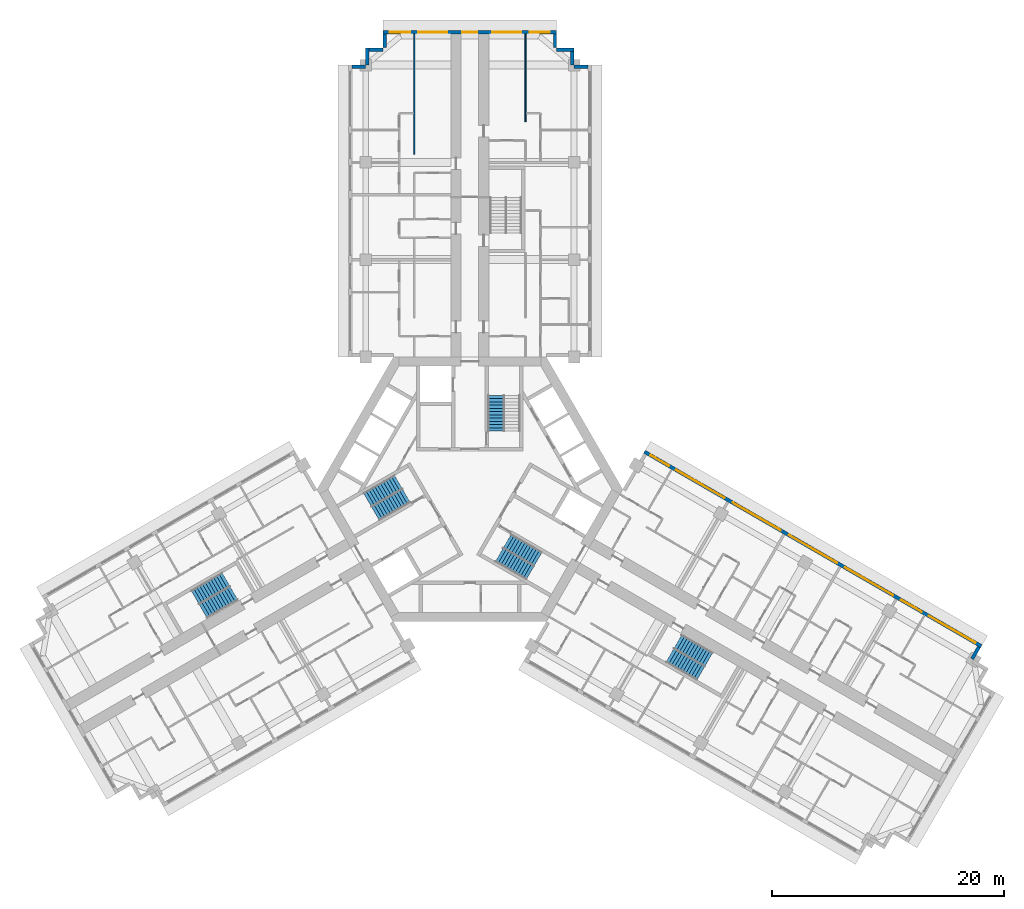
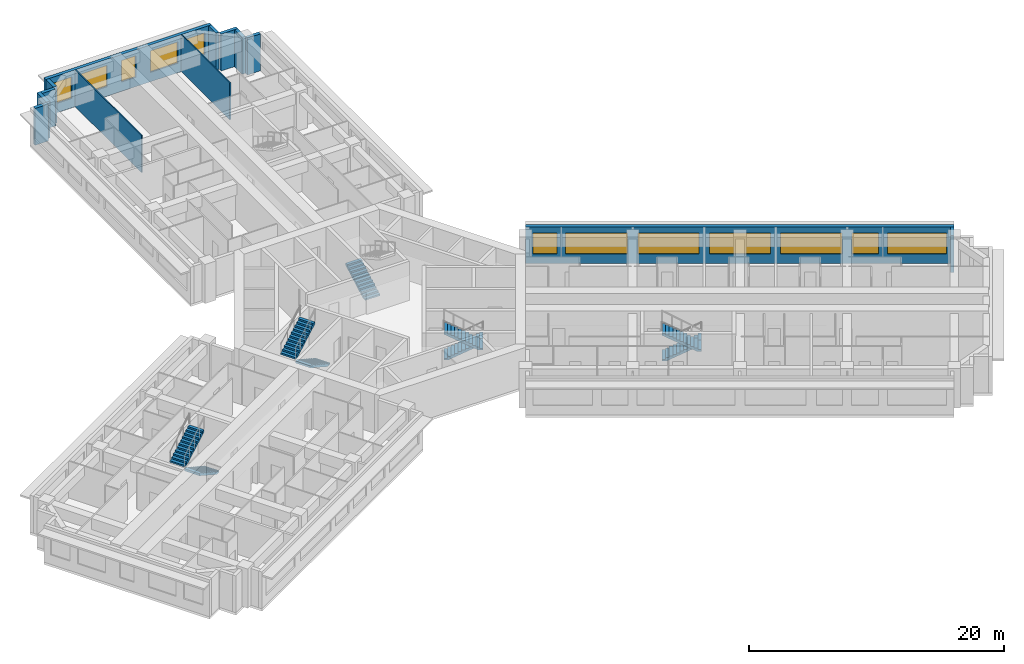
# One storey, part 12 of 14: 13 walls, 12 windows, 9 stair flights, 12 openings, 5 elements without a shape of their own.
"""IFC4 building model written with IfcOpenShell, lengths in metres."""

import ifcopenshell
import ifcopenshell.guid

model = None  # the IFC model being written
_history = None  # IfcOwnerHistory: only IFC2X3 demands one
_inside = {}  # id of a spatial element -> (the spatial element, [elements in it])
_under = {}  # id of a project, library or spatial element -> (it, [spatial elements below it])
_declared = {}  # id of a project -> (the project, [libraries it declares])
_typed = {}  # id of a type object -> (the type object, [elements of that type])
_made_of = {}  # id of a material, layer set ... -> (it, [elements and type objects made of it])


def new_model(schema):
    """Start an empty IFC model of exactly this schema.

    Asked for "IFC4X3", IfcOpenShell would pick the latest addendum, in which some entities
    have other attributes; the version numbers below select the first issue.
    IFC2X3 requires an IfcOwnerHistory on every rooted entity: one is made here for all.
    """
    global model, _history
    if schema == "IFC4X3":
        model = ifcopenshell.file(schema_version=(4, 3, 0, 0))
    else:
        model = ifcopenshell.file(schema=schema)
    _inside.clear()
    _under.clear()
    _declared.clear()
    _typed.clear()
    _made_of.clear()
    _history = None
    if model.schema == "IFC2X3":
        org = make("IfcOrganization", Name="unknown")
        user = make(
            "IfcPersonAndOrganization",
            ThePerson=make("IfcPerson", FamilyName="unknown"),
            TheOrganization=org,
        )
        app = make(
            "IfcApplication",
            ApplicationDeveloper=org,
            Version="unknown",
            ApplicationFullName="unknown",
            ApplicationIdentifier="unknown",
        )
        _history = make(
            "IfcOwnerHistory",
            OwningUser=user,
            OwningApplication=app,
            ChangeAction="ADDED",
            CreationDate=0,
        )
    return model


def make(cls, **values):
    """One entity of the class cls with the attributes given. An attribute that is None is left unset."""
    return model.create_entity(
        cls, **{name: value for name, value in values.items() if value is not None}
    )


def rooted(cls, **values):
    """An entity with a GlobalId (a new one), such as an element, a storey or a relation."""
    return make(cls, GlobalId=ifcopenshell.guid.new(), OwnerHistory=_history, **values)


def si_unit(unit_type, name, prefix=None):
    """IfcSIUnit, for example si_unit("LENGTHUNIT", "METRE", prefix="MILLI")."""
    return make("IfcSIUnit", UnitType=unit_type, Prefix=prefix, Name=name)


def assignment(units):
    """IfcUnitAssignment: the units of a project."""
    return None if units is None else make("IfcUnitAssignment", Units=units)


def point(xyz):
    """IfcCartesianPoint."""
    return None if xyz is None else make("IfcCartesianPoint", Coordinates=xyz)


def direction(xyz):
    """IfcDirection."""
    return None if xyz is None else make("IfcDirection", DirectionRatios=xyz)


def frame(location, z_axis=None, x_axis=None):
    """IfcAxis2Placement3D, a coordinate frame: its origin and axes. An axis left out is left unset."""
    return make(
        "IfcAxis2Placement3D",
        Location=point(location),
        Axis=direction(z_axis),
        RefDirection=direction(x_axis),
    )


def frame_2d(location, x_axis=None):
    """IfcAxis2Placement2D, a coordinate frame in the plane: its origin and x axis."""
    return make(
        "IfcAxis2Placement2D", Location=point(location), RefDirection=direction(x_axis)
    )


def origin():
    """The frame at (0, 0, 0) with its axes left unset."""
    return frame((0.0, 0.0, 0.0))


def place(relative_to, where):
    """IfcLocalPlacement: puts the frame where relative to a parent placement (None: the world)."""
    return make(
        "IfcLocalPlacement", PlacementRelTo=relative_to, RelativePlacement=where
    )


def context(
    kind, dimensions, precision=None, world=None, true_north=None, identifier=None
):
    """IfcGeometricRepresentationContext, for example the 3D "Model" context."""
    return make(
        "IfcGeometricRepresentationContext",
        ContextIdentifier=identifier,
        ContextType=kind,
        CoordinateSpaceDimension=dimensions,
        Precision=precision,
        WorldCoordinateSystem=world,
        TrueNorth=true_north,
    )


def subcontext(parent, identifier, kind, view, scale=None):
    """IfcGeometricRepresentationSubContext, for example "Body" below "Model"."""
    return make(
        "IfcGeometricRepresentationSubContext",
        ContextIdentifier=identifier,
        ContextType=kind,
        ParentContext=parent,
        TargetScale=scale,
        TargetView=view,
    )


def project(units=None, contexts=None):
    """IfcProject with its units and contexts."""
    return rooted(
        "IfcProject",
        Name="project",
        RepresentationContexts=contexts,
        UnitsInContext=assignment(units),
    )


def spatial(cls, under=None, at=None, **own):
    """A site, building, storey or space (cls), placed at a placement, below another one or the project."""
    s = rooted(cls, ObjectPlacement=at, **own)
    if under is not None:
        _under.setdefault(under.id(), (under, []))[1].append(s)
    return s


def polyline(points):
    """IfcPolyline through the points."""
    return make("IfcPolyline", Points=[point(p) for p in points])


def profile(cls, at=None, kind="AREA", **sizes):
    """A parametric profile (cls). Its sizes go by their IFC names, for example OverallWidth=200.0."""
    return make(cls, ProfileType=kind, Position=at, **sizes)


def rectangle(**sizes):
    """IfcRectangleProfileDef."""
    return profile("IfcRectangleProfileDef", **sizes)


def outline(outer, holes=None, kind="AREA"):
    """IfcArbitraryClosedProfileDef: a profile drawn as a closed curve; with holes, ...WithVoids."""
    if holes is None:
        return make("IfcArbitraryClosedProfileDef", ProfileType=kind, OuterCurve=outer)
    return make(
        "IfcArbitraryProfileDefWithVoids",
        ProfileType=kind,
        OuterCurve=outer,
        InnerCurves=holes,
    )


def extrude(swept, where, along, depth):
    """IfcExtrudedAreaSolid: the profile swept, set in the frame where, extruded along a direction by depth."""
    return make(
        "IfcExtrudedAreaSolid",
        SweptArea=swept,
        Position=where,
        ExtrudedDirection=direction(along),
        Depth=depth,
    )


def shape(context_of_items, identifier, shape_type, items):
    """IfcShapeRepresentation: the items that make up one representation, for example the "Body"."""
    return make(
        "IfcShapeRepresentation",
        ContextOfItems=context_of_items,
        RepresentationIdentifier=identifier,
        RepresentationType=shape_type,
        Items=items,
    )


def material(Name=None, Category=None):
    """IfcMaterial."""
    return make("IfcMaterial", Name=Name, Category=Category)


def layer(
    of_material, thickness, ventilated=None, Name=None, Category=None, Priority=None
):
    """IfcMaterialLayer: one layer of a wall or slab, of a material (None: an air gap)."""
    return make(
        "IfcMaterialLayer",
        Material=of_material,
        LayerThickness=thickness,
        IsVentilated=ventilated,
        Name=Name,
        Category=Category,
        Priority=Priority,
    )


def layer_set(layers, Name=None):
    """IfcMaterialLayerSet."""
    return make("IfcMaterialLayerSet", MaterialLayers=layers, LayerSetName=Name)


def made_of(thing, what):
    """Note that an element or type object is made of a material, layer set ...; save() writes the relation."""
    if what is not None:
        _made_of.setdefault(what.id(), (what, []))[1].append(thing)
    return thing


def type_object(cls, material=None, **own):
    """A type object (cls), such as IfcWallType, which elements share."""
    return made_of(rooted(cls, **own), material)


def element(
    cls,
    number,
    at=None,
    inside=None,
    cuts=None,
    type_object=None,
    material=None,
    context=None,
    identifier="Body",
    shape_type=None,
    held_by="IfcProductDefinitionShape",
    body=None,
    shapes=None,
    **own,
):
    """One element of the class cls, such as IfcWall. Its Tag is "e" and its number.

    at: its placement. inside: the storey or other place that contains it. cuts: it is an
    opening in that element (IfcRelVoidsElement). A single representation is given by context,
    identifier, shape_type and body (its items); several are given by shapes. held_by: the class
    of the entity that holds the representations. save() writes the other relations.
    """
    e = rooted(cls, Tag="e%d" % number, ObjectPlacement=at, **own)
    if body is not None:
        shapes = [shape(context, identifier, shape_type, body)]
    if shapes is not None:
        e.Representation = make(held_by, Representations=shapes)
    if inside is not None:
        _inside.setdefault(inside.id(), (inside, []))[1].append(e)
    if cuts is not None:
        rooted(
            "IfcRelVoidsElement", RelatingBuildingElement=cuts, RelatedOpeningElement=e
        )
    if type_object is not None:
        _typed.setdefault(type_object.id(), (type_object, []))[1].append(e)
    return made_of(e, material)


def fill(opening, filler):
    """IfcRelFillsElement: the door or window that sits in an opening."""
    return rooted(
        "IfcRelFillsElement",
        RelatingOpeningElement=opening,
        RelatedBuildingElement=filler,
    )


def aggregate(whole, parts):
    """IfcRelAggregates: a whole, such as a stair, and the parts it consists of."""
    return rooted("IfcRelAggregates", RelatingObject=whole, RelatedObjects=parts)


def save(model, path):
    """Write the relations noted so far, then the file.

    IfcRelAggregates (storeys below a building ...), IfcRelContainedInSpatialStructure (elements
    in a storey), IfcRelDefinesByType, IfcRelAssociatesMaterial and IfcRelDeclares: one each for
    every whole, place, type object, material and project.
    """
    for whole, parts in _under.values():
        aggregate(whole, parts)
    for where, things in _inside.values():
        rooted(
            "IfcRelContainedInSpatialStructure",
            RelatedElements=things,
            RelatingStructure=where,
        )
    for kind, things in _typed.values():
        rooted("IfcRelDefinesByType", RelatedObjects=things, RelatingType=kind)
    for what, things in _made_of.values():
        rooted("IfcRelAssociatesMaterial", RelatedObjects=things, RelatingMaterial=what)
    for by, libraries in _declared.values():
        rooted("IfcRelDeclares", RelatingContext=by, RelatedDefinitions=libraries)
    model.write(path)


model = new_model("IFC4")

# Units and contexts
model_context = context("Model", 3, precision=1e-05, world=origin(), true_north=direction((0.0, 1.0)))
body_context = subcontext(model_context, "Body", "Model", "MODEL_VIEW")
ifc_project = project(units=[si_unit("LENGTHUNIT", "METRE"), si_unit("AREAUNIT", "SQUARE_METRE"), si_unit("VOLUMEUNIT", "CUBIC_METRE"), si_unit("PLANEANGLEUNIT", "RADIAN"), si_unit("MASSUNIT", "GRAM", prefix="KILO")], contexts=[model_context])

# Site, building, storey
site_placement = place(None, origin())
site = spatial("IfcSite", under=ifc_project, at=site_placement, CompositionType="ELEMENT")
building_placement = place(site_placement, origin())
building = spatial("IfcBuilding", under=site, at=building_placement, Name="Impinga Residences", CompositionType="ELEMENT")
storey_placement = place(building_placement, frame((0.0, 0.0, 147.25)))
storey = spatial("IfcBuildingStorey", under=building, at=storey_placement, Name="L36", CompositionType="ELEMENT", Elevation=147.25)

# Walls
ifc_material_1 = material(Name="Terracotta rainscreen on blockwork", Category="masonry")
ifc_layer_1 = layer(ifc_material_1, 0.300048828125)
ifc_layer_set_1 = layer_set([ifc_layer_1], Name="EW1 external wall, terracotta rainscreen on blockwork 300")
wall_type_1 = type_object("IfcWallType", Name="EW1 external wall, terracotta rainscreen on blockwork 300", PredefinedType="SOLIDWALL", material=ifc_layer_set_1)
wall_1_placement = place(storey_placement, frame((43.968505859375, -13.607421875, 0.0), z_axis=(0.0, 0.0, 1.0), x_axis=(-0.500029051137, -0.866008630453, 0.0)))
element("IfcWall", 1, at=wall_1_placement, inside=storey, type_object=wall_type_1, Name="External wall EW1 L36", PredefinedType="SOLIDWALL", context=body_context, shape_type="SweptSolid", body=[
    extrude(rectangle(XDim=1.19482421875, YDim=0.300048828125, at=frame_2d((0.597412109375, 0.0))), origin(), (0.0, 0.0, 1.0), 3.530029296875),
])
wall_2_placement = place(storey_placement, frame((-10.199951171875, 36.4814453125, 0.0), z_axis=(0.0, 0.0, 1.0), x_axis=(1.0, 0.0, 0.0)))
element("IfcWall", 2, at=wall_2_placement, inside=storey, type_object=wall_type_1, Name="External wall EW1 L36", PredefinedType="SOLIDWALL", context=body_context, shape_type="SweptSolid", body=[
    extrude(rectangle(XDim=1.199951171875, YDim=0.300048828125, at=frame_2d((0.60009765625, 0.0))), origin(), (0.0, 0.0, 1.0), 3.530029296875),
])
wall_3_placement = place(storey_placement, frame((-8.85009765625, 36.636474609375, 0.0), z_axis=(0.0, 0.0, 1.0), x_axis=(0.0, 1.0, 0.0)))
element("IfcWall", 3, at=wall_3_placement, inside=storey, type_object=wall_type_1, Name="External wall EW1 L36", PredefinedType="SOLIDWALL", context=body_context, shape_type="SweptSolid", body=[
    extrude(rectangle(XDim=1.4951171875, YDim=0.300048828125, at=frame_2d((0.74755859375, 0.0))), origin(), (0.0, 0.0, 1.0), 3.530029296875),
])
wall_4_placement = place(storey_placement, frame((-8.699951171875, 37.9814453125, 0.0), z_axis=(0.0, 0.0, 1.0), x_axis=(1.0, 0.0, 0.0)))
element("IfcWall", 4, at=wall_4_placement, inside=storey, type_object=wall_type_1, Name="External wall EW1 L36", PredefinedType="SOLIDWALL", context=body_context, shape_type="SweptSolid", body=[
    extrude(rectangle(XDim=1.199951171875, YDim=0.300048828125, at=frame_2d((0.60009765625, 0.0))), origin(), (0.0, 0.0, 1.0), 3.530029296875),
])
wall_5_placement = place(storey_placement, frame((-7.35009765625, 38.136474609375, 0.0), z_axis=(0.0, 0.0, 1.0), x_axis=(0.0, 1.0, 0.0)))
element("IfcWall", 5, at=wall_5_placement, inside=storey, type_object=wall_type_1, Name="External wall EW1 L36", PredefinedType="SOLIDWALL", context=body_context, shape_type="SweptSolid", body=[
    extrude(rectangle(XDim=1.195068359375, YDim=0.300048828125, at=frame_2d((0.59765625, 0.0))), origin(), (0.0, 0.0, 1.0), 3.530029296875),
])

# Wall, openings, windows
wall_6_placement = place(storey_placement, frame((-7.5, 39.4814453125, 0.0), z_axis=(0.0, 0.0, 1.0), x_axis=(1.0, 0.0, 0.0)))
wall_6 = element("IfcWall", 6, at=wall_6_placement, inside=storey, type_object=wall_type_1, Name="External wall EW1 L36", PredefinedType="SOLIDWALL", context=body_context, shape_type="SweptSolid", body=[
    extrude(rectangle(XDim=15.0, YDim=0.300048828125, at=frame_2d((7.5, 0.0))), origin(), (0.0, 0.0, 1.0), 3.530029296875),
])
opening_1_placement = place(wall_6_placement, frame((0.60009765625, 0.0, 0.89990234375)))
opening_1 = element("IfcOpeningElement", 7, at=opening_1_placement, cuts=wall_6, Name="Opening W1", PredefinedType="OPENING", context=body_context, shape_type="SweptSolid", body=[
    extrude(rectangle(XDim=1.75, YDim=2.050048828125, at=frame_2d((0.875, 1.02490234375))), frame((0.0, 0.159912109375, 0.0), z_axis=(0.0, -1.0, 0.0), x_axis=(1.0, 0.0, 0.0)), (0.0, 0.0, 1.0), 0.320068359375),
])
opening_2_placement = place(wall_6_placement, frame((3.050048828125, 0.0, 0.89990234375)))
opening_2 = element("IfcOpeningElement", 8, at=opening_2_placement, cuts=wall_6, Name="Opening W2", PredefinedType="OPENING", context=body_context, shape_type="SweptSolid", body=[
    extrude(rectangle(XDim=2.5, YDim=2.050048828125, at=frame_2d((1.25, 1.02490234375))), frame((0.0, 0.159912109375, 0.0), z_axis=(0.0, -1.0, 0.0), x_axis=(1.0, 0.0, 0.0)), (0.0, 0.0, 1.0), 0.320068359375),
])
opening_3_placement = place(wall_6_placement, frame((6.85009765625, 0.0, 0.89990234375)))
opening_3 = element("IfcOpeningElement", 9, at=opening_3_placement, cuts=wall_6, Name="Opening W17", PredefinedType="OPENING", context=body_context, shape_type="SweptSolid", body=[
    extrude(rectangle(XDim=1.300048828125, YDim=2.050048828125, at=frame_2d((0.64990234375, 1.02490234375))), frame((0.0, 0.159912109375, 0.0), z_axis=(0.0, -1.0, 0.0), x_axis=(1.0, 0.0, 0.0)), (0.0, 0.0, 1.0), 0.320068359375),
])
opening_4_placement = place(wall_6_placement, frame((9.449951171875, 0.0, 0.89990234375)))
opening_4 = element("IfcOpeningElement", 10, at=opening_4_placement, cuts=wall_6, Name="Opening W2", PredefinedType="OPENING", context=body_context, shape_type="SweptSolid", body=[
    extrude(rectangle(XDim=2.5, YDim=2.050048828125, at=frame_2d((1.25, 1.02490234375))), frame((0.0, 0.159912109375, 0.0), z_axis=(0.0, -1.0, 0.0), x_axis=(1.0, 0.0, 0.0)), (0.0, 0.0, 1.0), 0.320068359375),
])
opening_5_placement = place(wall_6_placement, frame((12.64990234375, 0.0, 0.89990234375)))
opening_5 = element("IfcOpeningElement", 11, at=opening_5_placement, cuts=wall_6, Name="Opening W1", PredefinedType="OPENING", context=body_context, shape_type="SweptSolid", body=[
    extrude(rectangle(XDim=1.75, YDim=2.050048828125, at=frame_2d((0.875, 1.02490234375))), frame((0.0, 0.159912109375, 0.0), z_axis=(0.0, -1.0, 0.0), x_axis=(1.0, 0.0, 0.0)), (0.0, 0.0, 1.0), 0.320068359375),
])
ifc_material_2 = material(Name="Aluminium window, clear double glazing", Category="aluminium")
window_type_1 = type_object("IfcWindowType", Name="W1 ribbon window 1750x2050", PartitioningType="SINGLE_PANEL", PredefinedType="WINDOW", material=ifc_material_2)
window_1_placement = place(opening_1_placement, origin())
window_1 = element("IfcWindow", 12, at=window_1_placement, inside=storey, type_object=window_type_1, Name="Window L36", OverallHeight=2.050048828125, OverallWidth=1.75, PartitioningType="SINGLE_PANEL", PredefinedType="WINDOW", context=body_context, shape_type="SweptSolid", body=[
    extrude(rectangle(XDim=1.75, YDim=2.050048828125, at=frame_2d((0.875, 1.02490234375))), frame((0.0, 0.030029296875, 0.0), z_axis=(0.0, -1.0, 0.0), x_axis=(1.0, 0.0, 0.0)), (0.0, 0.0, 1.0), 0.06005859375),
])
fill(opening_1, window_1)
window_2_placement = place(opening_5_placement, origin())
window_2 = element("IfcWindow", 13, at=window_2_placement, inside=storey, type_object=window_type_1, Name="Window L36", OverallHeight=2.050048828125, OverallWidth=1.75, PartitioningType="SINGLE_PANEL", PredefinedType="WINDOW", context=body_context, shape_type="SweptSolid", body=[
    extrude(rectangle(XDim=1.75, YDim=2.050048828125, at=frame_2d((0.875, 1.02490234375))), frame((0.0, 0.030029296875, 0.0), z_axis=(0.0, -1.0, 0.0), x_axis=(1.0, 0.0, 0.0)), (0.0, 0.0, 1.0), 0.06005859375),
])
fill(opening_5, window_2)
window_type_2 = type_object("IfcWindowType", Name="W17 ribbon window 1300x2050", PartitioningType="SINGLE_PANEL", PredefinedType="WINDOW", material=ifc_material_2)
window_3_placement = place(opening_3_placement, origin())
window_3 = element("IfcWindow", 14, at=window_3_placement, inside=storey, type_object=window_type_2, Name="Window L36", OverallHeight=2.050048828125, OverallWidth=1.300048828125, PartitioningType="SINGLE_PANEL", PredefinedType="WINDOW", context=body_context, shape_type="SweptSolid", body=[
    extrude(rectangle(XDim=1.300048828125, YDim=2.050048828125, at=frame_2d((0.64990234375, 1.02490234375))), frame((0.0, 0.030029296875, 0.0), z_axis=(0.0, -1.0, 0.0), x_axis=(1.0, 0.0, 0.0)), (0.0, 0.0, 1.0), 0.06005859375),
])
fill(opening_3, window_3)
window_type_3 = type_object("IfcWindowType", Name="W2 ribbon window 2500x2050", PartitioningType="SINGLE_PANEL", PredefinedType="WINDOW", material=ifc_material_2)
window_4_placement = place(opening_2_placement, origin())
window_4 = element("IfcWindow", 15, at=window_4_placement, inside=storey, type_object=window_type_3, Name="Window L36", OverallHeight=2.050048828125, OverallWidth=2.5, PartitioningType="SINGLE_PANEL", PredefinedType="WINDOW", context=body_context, shape_type="SweptSolid", body=[
    extrude(rectangle(XDim=2.5, YDim=2.050048828125, at=frame_2d((1.25, 1.02490234375))), frame((0.0, 0.030029296875, 0.0), z_axis=(0.0, -1.0, 0.0), x_axis=(1.0, 0.0, 0.0)), (0.0, 0.0, 1.0), 0.06005859375),
])
fill(opening_2, window_4)
window_5_placement = place(opening_4_placement, origin())
window_5 = element("IfcWindow", 16, at=window_5_placement, inside=storey, type_object=window_type_3, Name="Window L36", OverallHeight=2.050048828125, OverallWidth=2.5, PartitioningType="SINGLE_PANEL", PredefinedType="WINDOW", context=body_context, shape_type="SweptSolid", body=[
    extrude(rectangle(XDim=2.5, YDim=2.050048828125, at=frame_2d((1.25, 1.02490234375))), frame((0.0, 0.030029296875, 0.0), z_axis=(0.0, -1.0, 0.0), x_axis=(1.0, 0.0, 0.0)), (0.0, 0.0, 1.0), 0.06005859375),
])
fill(opening_4, window_5)

# Walls
wall_7_placement = place(storey_placement, frame((7.35009765625, 39.33154296875, 0.0), z_axis=(0.0, 0.0, 1.0), x_axis=(0.0, -1.0, 0.0)))
element("IfcWall", 17, at=wall_7_placement, inside=storey, type_object=wall_type_1, Name="External wall EW1 L36", PredefinedType="SOLIDWALL", context=body_context, shape_type="SweptSolid", body=[
    extrude(rectangle(XDim=1.195068359375, YDim=0.300048828125, at=frame_2d((0.59765625, 0.0))), origin(), (0.0, 0.0, 1.0), 3.530029296875),
])
wall_8_placement = place(storey_placement, frame((7.5, 37.9814453125, 0.0), z_axis=(0.0, 0.0, 1.0), x_axis=(1.0, 0.0, 0.0)))
element("IfcWall", 18, at=wall_8_placement, inside=storey, type_object=wall_type_1, Name="External wall EW1 L36", PredefinedType="SOLIDWALL", context=body_context, shape_type="SweptSolid", body=[
    extrude(rectangle(XDim=1.5, YDim=0.300048828125, at=frame_2d((0.75, 0.0))), origin(), (0.0, 0.0, 1.0), 3.530029296875),
])
wall_9_placement = place(storey_placement, frame((8.85009765625, 37.83154296875, 0.0), z_axis=(0.0, 0.0, 1.0), x_axis=(0.0, -1.0, 0.0)))
element("IfcWall", 19, at=wall_9_placement, inside=storey, type_object=wall_type_1, Name="External wall EW1 L36", PredefinedType="SOLIDWALL", context=body_context, shape_type="SweptSolid", body=[
    extrude(rectangle(XDim=1.199951171875, YDim=0.300048828125, at=frame_2d((0.60009765625, 0.0))), origin(), (0.0, 0.0, 1.0), 3.530029296875),
])
wall_10_placement = place(storey_placement, frame((9.0048828125, 36.4814453125, 0.0), z_axis=(0.0, 0.0, 1.0), x_axis=(1.0, 0.0, 0.0)))
element("IfcWall", 20, at=wall_10_placement, inside=storey, type_object=wall_type_1, Name="External wall EW1 L36", PredefinedType="SOLIDWALL", context=body_context, shape_type="SweptSolid", body=[
    extrude(rectangle(XDim=1.195068359375, YDim=0.300048828125, at=frame_2d((0.59765625, 0.0))), origin(), (0.0, 0.0, 1.0), 3.530029296875),
])

# Wall, openings, windows
wall_11_placement = place(storey_placement, frame((15.074951171875, 3.24755859375, 0.0), z_axis=(0.0, 0.0, 1.0), x_axis=(0.866024291668, -0.500001926238, 0.0)))
wall_11 = element("IfcWall", 21, at=wall_11_placement, inside=storey, type_object=wall_type_1, Name="External wall EW1 L36", PredefinedType="SOLIDWALL", context=body_context, shape_type="SweptSolid", body=[
    extrude(rectangle(XDim=33.599853515625, YDim=0.300048828125, at=frame_2d((16.7998046875, 0.0))), origin(), (0.0, 0.0, 1.0), 3.530029296875),
])
opening_6_placement = place(wall_11_placement, frame((0.60009765625, 0.0, 0.89990234375)))
opening_6 = element("IfcOpeningElement", 22, at=opening_6_placement, cuts=wall_11, Name="Opening W15", PredefinedType="OPENING", context=body_context, shape_type="SweptSolid", body=[
    extrude(rectangle(XDim=1.85009765625, YDim=2.050048828125, at=frame_2d((0.925048828125, 1.02490234375))), frame((0.0, 0.159912109375, 0.0), z_axis=(0.0, -1.0, 0.0), x_axis=(1.0, 0.0, 0.0)), (0.0, 0.0, 1.0), 0.320068359375),
])
opening_7_placement = place(wall_11_placement, frame((3.14990234375, 0.0, 0.89990234375)))
opening_7 = element("IfcOpeningElement", 23, at=opening_7_placement, cuts=wall_11, Name="Opening W6", PredefinedType="OPENING", context=body_context, shape_type="SweptSolid", body=[
    extrude(rectangle(XDim=4.85009765625, YDim=2.050048828125, at=frame_2d((2.425048828125, 1.02490234375))), frame((0.0, 0.159912109375, 0.0), z_axis=(0.0, -1.0, 0.0), x_axis=(1.0, 0.0, 0.0)), (0.0, 0.0, 1.0), 0.320068359375),
])
opening_8_placement = place(wall_11_placement, frame((8.800048828125, 0.0, 0.89990234375)))
opening_8 = element("IfcOpeningElement", 24, at=opening_8_placement, cuts=wall_11, Name="Opening W8", PredefinedType="OPENING", context=body_context, shape_type="SweptSolid", body=[
    extrude(rectangle(XDim=4.800048828125, YDim=2.050048828125, at=frame_2d((2.39990234375, 1.02490234375))), frame((0.0, 0.159912109375, 0.0), z_axis=(0.0, -1.0, 0.0), x_axis=(1.0, 0.0, 0.0)), (0.0, 0.0, 1.0), 0.320068359375),
])
opening_9_placement = place(wall_11_placement, frame((14.39990234375, 0.0, 0.89990234375)))
opening_9 = element("IfcOpeningElement", 25, at=opening_9_placement, cuts=wall_11, Name="Opening W8", PredefinedType="OPENING", context=body_context, shape_type="SweptSolid", body=[
    extrude(rectangle(XDim=4.800048828125, YDim=2.050048828125, at=frame_2d((2.39990234375, 1.02490234375))), frame((0.0, 0.159912109375, 0.0), z_axis=(0.0, -1.0, 0.0), x_axis=(1.0, 0.0, 0.0)), (0.0, 0.0, 1.0), 0.320068359375),
])
opening_10_placement = place(wall_11_placement, frame((20.0, 0.0, 0.89990234375)))
opening_10 = element("IfcOpeningElement", 26, at=opening_10_placement, cuts=wall_11, Name="Opening W8", PredefinedType="OPENING", context=body_context, shape_type="SweptSolid", body=[
    extrude(rectangle(XDim=4.800048828125, YDim=2.050048828125, at=frame_2d((2.39990234375, 1.02490234375))), frame((0.0, 0.159912109375, 0.0), z_axis=(0.0, -1.0, 0.0), x_axis=(1.0, 0.0, 0.0)), (0.0, 0.0, 1.0), 0.320068359375),
])
opening_11_placement = place(wall_11_placement, frame((25.60009765625, 0.0, 0.89990234375)))
opening_11 = element("IfcOpeningElement", 27, at=opening_11_placement, cuts=wall_11, Name="Opening W14", PredefinedType="OPENING", context=body_context, shape_type="SweptSolid", body=[
    extrude(rectangle(XDim=2.050048828125, YDim=2.050048828125, at=frame_2d((1.02490234375, 1.02490234375))), frame((0.0, 0.159912109375, 0.0), z_axis=(0.0, -1.0, 0.0), x_axis=(1.0, 0.0, 0.0)), (0.0, 0.0, 1.0), 0.320068359375),
])
opening_12_placement = place(wall_11_placement, frame((28.35009765625, 0.0, 0.89990234375)))
opening_12 = element("IfcOpeningElement", 28, at=opening_12_placement, cuts=wall_11, Name="Opening W10", PredefinedType="OPENING", context=body_context, shape_type="SweptSolid", body=[
    extrude(rectangle(XDim=4.64990234375, YDim=2.050048828125, at=frame_2d((2.324951171875, 1.02490234375))), frame((0.0, 0.159912109375, 0.0), z_axis=(0.0, -1.0, 0.0), x_axis=(1.0, 0.0, 0.0)), (0.0, 0.0, 1.0), 0.320068359375),
])
window_type_4 = type_object("IfcWindowType", Name="W10 ribbon window 4650x2050", PartitioningType="SINGLE_PANEL", PredefinedType="WINDOW", material=ifc_material_2)
window_6_placement = place(opening_12_placement, origin())
window_6 = element("IfcWindow", 29, at=window_6_placement, inside=storey, type_object=window_type_4, Name="Window L36", OverallHeight=2.050048828125, OverallWidth=4.64990234375, PartitioningType="SINGLE_PANEL", PredefinedType="WINDOW", context=body_context, shape_type="SweptSolid", body=[
    extrude(rectangle(XDim=4.64990234375, YDim=2.050048828125, at=frame_2d((2.324951171875, 1.02490234375))), frame((0.0, 0.030029296875, 0.0), z_axis=(0.0, -1.0, 0.0), x_axis=(1.0, 0.0, 0.0)), (0.0, 0.0, 1.0), 0.06005859375),
])
fill(opening_12, window_6)
window_type_5 = type_object("IfcWindowType", Name="W14 ribbon window 2050x2050", PartitioningType="SINGLE_PANEL", PredefinedType="WINDOW", material=ifc_material_2)
window_7_placement = place(opening_11_placement, origin())
window_7 = element("IfcWindow", 30, at=window_7_placement, inside=storey, type_object=window_type_5, Name="Window L36", OverallHeight=2.050048828125, OverallWidth=2.050048828125, PartitioningType="SINGLE_PANEL", PredefinedType="WINDOW", context=body_context, shape_type="SweptSolid", body=[
    extrude(rectangle(XDim=2.050048828125, YDim=2.050048828125, at=frame_2d((1.02490234375, 1.02490234375))), frame((0.0, 0.030029296875, 0.0), z_axis=(0.0, -1.0, 0.0), x_axis=(1.0, 0.0, 0.0)), (0.0, 0.0, 1.0), 0.06005859375),
])
fill(opening_11, window_7)
window_type_6 = type_object("IfcWindowType", Name="W15 ribbon window 1850x2050", PartitioningType="SINGLE_PANEL", PredefinedType="WINDOW", material=ifc_material_2)
window_8_placement = place(opening_6_placement, origin())
window_8 = element("IfcWindow", 31, at=window_8_placement, inside=storey, type_object=window_type_6, Name="Window L36", OverallHeight=2.050048828125, OverallWidth=1.85009765625, PartitioningType="SINGLE_PANEL", PredefinedType="WINDOW", context=body_context, shape_type="SweptSolid", body=[
    extrude(rectangle(XDim=1.85009765625, YDim=2.050048828125, at=frame_2d((0.925048828125, 1.02490234375))), frame((0.0, 0.030029296875, 0.0), z_axis=(0.0, -1.0, 0.0), x_axis=(1.0, 0.0, 0.0)), (0.0, 0.0, 1.0), 0.06005859375),
])
fill(opening_6, window_8)
window_type_7 = type_object("IfcWindowType", Name="W6 ribbon window 4850x2050", PartitioningType="SINGLE_PANEL", PredefinedType="WINDOW", material=ifc_material_2)
window_9_placement = place(opening_7_placement, origin())
window_9 = element("IfcWindow", 32, at=window_9_placement, inside=storey, type_object=window_type_7, Name="Window L36", OverallHeight=2.050048828125, OverallWidth=4.85009765625, PartitioningType="SINGLE_PANEL", PredefinedType="WINDOW", context=body_context, shape_type="SweptSolid", body=[
    extrude(rectangle(XDim=4.85009765625, YDim=2.050048828125, at=frame_2d((2.425048828125, 1.02490234375))), frame((0.0, 0.030029296875, 0.0), z_axis=(0.0, -1.0, 0.0), x_axis=(1.0, 0.0, 0.0)), (0.0, 0.0, 1.0), 0.06005859375),
])
fill(opening_7, window_9)
window_type_8 = type_object("IfcWindowType", Name="W8 ribbon window 4800x2050", PartitioningType="SINGLE_PANEL", PredefinedType="WINDOW", material=ifc_material_2)
window_10_placement = place(opening_8_placement, origin())
window_10 = element("IfcWindow", 33, at=window_10_placement, inside=storey, type_object=window_type_8, Name="Window L36", OverallHeight=2.050048828125, OverallWidth=4.800048828125, PartitioningType="SINGLE_PANEL", PredefinedType="WINDOW", context=body_context, shape_type="SweptSolid", body=[
    extrude(rectangle(XDim=4.800048828125, YDim=2.050048828125, at=frame_2d((2.39990234375, 1.02490234375))), frame((0.0, 0.030029296875, 0.0), z_axis=(0.0, -1.0, 0.0), x_axis=(1.0, 0.0, 0.0)), (0.0, 0.0, 1.0), 0.06005859375),
])
fill(opening_8, window_10)
window_11_placement = place(opening_9_placement, origin())
window_11 = element("IfcWindow", 34, at=window_11_placement, inside=storey, type_object=window_type_8, Name="Window L36", OverallHeight=2.050048828125, OverallWidth=4.800048828125, PartitioningType="SINGLE_PANEL", PredefinedType="WINDOW", context=body_context, shape_type="SweptSolid", body=[
    extrude(rectangle(XDim=4.800048828125, YDim=2.050048828125, at=frame_2d((2.39990234375, 1.02490234375))), frame((0.0, 0.030029296875, 0.0), z_axis=(0.0, -1.0, 0.0), x_axis=(1.0, 0.0, 0.0)), (0.0, 0.0, 1.0), 0.06005859375),
])
fill(opening_9, window_11)
window_12_placement = place(opening_10_placement, origin())
window_12 = element("IfcWindow", 35, at=window_12_placement, inside=storey, type_object=window_type_8, Name="Window L36", OverallHeight=2.050048828125, OverallWidth=4.800048828125, PartitioningType="SINGLE_PANEL", PredefinedType="WINDOW", context=body_context, shape_type="SweptSolid", body=[
    extrude(rectangle(XDim=4.800048828125, YDim=2.050048828125, at=frame_2d((2.39990234375, 1.02490234375))), frame((0.0, 0.030029296875, 0.0), z_axis=(0.0, -1.0, 0.0), x_axis=(1.0, 0.0, 0.0)), (0.0, 0.0, 1.0), 0.06005859375),
])
fill(opening_10, window_12)

# Walls
ifc_material_3 = material(Name="Gypsum board on steel studs", Category="steel")
ifc_layer_2 = layer(ifc_material_3, 0.10009765625)
ifc_layer_set_2 = layer_set([ifc_layer_2], Name="Gypsum board on steel studs")
wall_type_2 = type_object("IfcWallType", Name="IP1 partition 100", PredefinedType="PARTITIONING", material=ifc_layer_set_2)
wall_12_placement = place(storey_placement, frame((-4.800048828125, 28.931640625, 0.0), z_axis=(0.0, 0.0, 1.0), x_axis=(0.0, 1.0, 0.0)))
element("IfcWall", 36, at=wall_12_placement, inside=storey, type_object=wall_type_2, Name="Partition L36-NA3:DIV1", PredefinedType="PARTITIONING", context=body_context, shape_type="SweptSolid", body=[
    extrude(rectangle(XDim=10.39990234375, YDim=0.10009765625, at=frame_2d((5.199951171875, 0.0))), origin(), (0.0, 0.0, 1.0), 3.530029296875),
])
wall_13_placement = place(storey_placement, frame((4.800048828125, 31.7314453125, 0.0), z_axis=(0.0, 0.0, 1.0), x_axis=(0.0, 1.0, 0.0)))
element("IfcWall", 37, at=wall_13_placement, inside=storey, type_object=wall_type_2, Name="Partition L36-NF2:DIV1", PredefinedType="PARTITIONING", context=body_context, shape_type="SweptSolid", body=[
    extrude(rectangle(XDim=7.60009765625, YDim=0.10009765625, at=frame_2d((3.800048828125, 0.0))), origin(), (0.0, 0.0, 1.0), 3.530029296875),
])

# Stair, stair flight
ifc_material_4 = material(Name="Concrete C40/50", Category="concrete")
stair_type_1 = type_object("IfcStairType", Name="STR core stair 3750 storey, 24 risers", PredefinedType="HALF_TURN_STAIR", material=ifc_material_4)
stair_1_placement = place(storey_placement, origin())
stair_1 = element("IfcStair", 38, at=stair_1_placement, inside=storey, type_object=stair_type_1, Name="Stair ST1 L36", PredefinedType="HALF_TURN_STAIR")
stair_flight_type = type_object("IfcStairFlightType", Name="SF 12 risers of 156", PredefinedType="STRAIGHT", material=ifc_material_4)
stair_flight_1_placement = place(storey_placement, frame((2.27490234375, 5.030029296875, 0.0), z_axis=(0.0, 0.0, 1.0), x_axis=(0.0, 1.0, 0.0)))
stair_flight_1 = element("IfcStairFlight", 39, at=stair_flight_1_placement, type_object=stair_flight_type, Name="ST1 flight 1", NumberOfRisers=12, NumberOfTreads=11, PredefinedType="STRAIGHT", RiserHeight=0.15625, TreadLength=0.28, context=body_context, shape_type="SweptSolid", body=[
    extrude(outline(polyline([(0.0, 0.0), (0.0, 0.15625), (0.280029296875, 0.15625), (0.280029296875, 0.3125), (0.56005859375, 0.3125), (0.56005859375, 0.46875), (0.840087890625, 0.46875), (0.840087890625, 0.625), (1.1201171875, 0.625), (1.1201171875, 0.78125), (1.39990234375, 0.78125), (1.39990234375, 0.9375), (1.679931640625, 0.9375), (1.679931640625, 1.09375), (1.9599609375, 1.09375), (1.9599609375, 1.25), (2.239990234375, 1.25), (2.239990234375, 1.40625), (2.52001953125, 1.40625), (2.52001953125, 1.5625), (2.800048828125, 1.5625), (2.800048828125, 1.71875), (3.080078125, 1.71875), (3.080078125, 1.875), (3.080078125, 1.5126953125), (0.369140625, 0.0), (0.0, 0.0)])), frame((0.0, 0.675048828125, 0.0), z_axis=(0.0, -1.0, 0.0), x_axis=(1.0, 0.0, 0.0)), (0.0, 0.0, 1.0), 1.35009765625),
])
aggregate(stair_1, [stair_flight_1])

# Stair, stair flights
stair_2_placement = place(storey_placement, origin())
stair_2 = element("IfcStair", 40, at=stair_2_placement, inside=storey, type_object=stair_type_1, Name="Stair ST2 L36", PredefinedType="HALF_TURN_STAIR")
stair_flight_2_placement = place(storey_placement, frame((-5.49365234375, -0.544677734375, 0.0), z_axis=(0.0, 0.0, 1.0), x_axis=(-0.866025403784, -0.5, 0.0)))
stair_flight_2 = element("IfcStairFlight", 41, at=stair_flight_2_placement, type_object=stair_flight_type, Name="ST2 flight 1", NumberOfRisers=12, NumberOfTreads=11, PredefinedType="STRAIGHT", RiserHeight=0.15625, TreadLength=0.28, context=body_context, shape_type="SweptSolid", body=[
    extrude(outline(polyline([(0.0, 0.0), (0.0, 0.15625), (0.280029296875, 0.15625), (0.280029296875, 0.3125), (0.56005859375, 0.3125), (0.56005859375, 0.46875), (0.840087890625, 0.46875), (0.840087890625, 0.625), (1.1201171875, 0.625), (1.1201171875, 0.78125), (1.39990234375, 0.78125), (1.39990234375, 0.9375), (1.679931640625, 0.9375), (1.679931640625, 1.09375), (1.9599609375, 1.09375), (1.9599609375, 1.25), (2.239990234375, 1.25), (2.239990234375, 1.40625), (2.52001953125, 1.40625), (2.52001953125, 1.5625), (2.800048828125, 1.5625), (2.800048828125, 1.71875), (3.080078125, 1.71875), (3.080078125, 1.875), (3.080078125, 1.5126953125), (0.369140625, 0.0), (0.0, 0.0)])), frame((0.0, 0.675048828125, 0.0), z_axis=(0.0, -1.0, 0.0), x_axis=(1.0, 0.0, 0.0)), (0.0, 0.0, 1.0), 1.35009765625),
])
stair_flight_3_placement = place(storey_placement, frame((-8.8359375, -0.915771484375, 1.875), z_axis=(0.0, 0.0, 1.0), x_axis=(0.866025403784, 0.5, 0.0)))
stair_flight_3 = element("IfcStairFlight", 42, at=stair_flight_3_placement, type_object=stair_flight_type, Name="ST2 flight 2", NumberOfRisers=12, NumberOfTreads=11, PredefinedType="STRAIGHT", RiserHeight=0.15625, TreadLength=0.28, context=body_context, shape_type="SweptSolid", body=[
    extrude(outline(polyline([(0.0, 0.0), (0.0, 0.15625), (0.280029296875, 0.15625), (0.280029296875, 0.3125), (0.56005859375, 0.3125), (0.56005859375, 0.46875), (0.840087890625, 0.46875), (0.840087890625, 0.625), (1.1201171875, 0.625), (1.1201171875, 0.78125), (1.39990234375, 0.78125), (1.39990234375, 0.9375), (1.679931640625, 0.9375), (1.679931640625, 1.09375), (1.9599609375, 1.09375), (1.9599609375, 1.25), (2.239990234375, 1.25), (2.239990234375, 1.40625), (2.52001953125, 1.40625), (2.52001953125, 1.5625), (2.800048828125, 1.5625), (2.800048828125, 1.71875), (3.080078125, 1.71875), (3.080078125, 1.875), (3.080078125, 1.5126953125), (0.369140625, 0.0), (0.0, 0.0)])), frame((0.0, 0.675048828125, 0.0), z_axis=(0.0, -1.0, 0.0), x_axis=(1.0, 0.0, 0.0)), (0.0, 0.0, 1.0), 1.35009765625),
])
aggregate(stair_2, [stair_flight_2, stair_flight_3])

stair_3_placement = place(storey_placement, origin())
stair_3 = element("IfcStair", 43, at=stair_3_placement, inside=storey, type_object=stair_type_1, Name="Stair ST3 L36", PredefinedType="HALF_TURN_STAIR")
stair_flight_4_placement = place(storey_placement, frame((3.218505859375, -4.485107421875, 0.0), z_axis=(0.0, 0.0, 1.0), x_axis=(0.866025403784, -0.5, 0.0)))
stair_flight_4 = element("IfcStairFlight", 44, at=stair_flight_4_placement, type_object=stair_flight_type, Name="ST3 flight 1", NumberOfRisers=12, NumberOfTreads=11, PredefinedType="STRAIGHT", RiserHeight=0.15625, TreadLength=0.28, context=body_context, shape_type="SweptSolid", body=[
    extrude(outline(polyline([(0.0, 0.0), (0.0, 0.15625), (0.280029296875, 0.15625), (0.280029296875, 0.3125), (0.56005859375, 0.3125), (0.56005859375, 0.46875), (0.840087890625, 0.46875), (0.840087890625, 0.625), (1.1201171875, 0.625), (1.1201171875, 0.78125), (1.39990234375, 0.78125), (1.39990234375, 0.9375), (1.679931640625, 0.9375), (1.679931640625, 1.09375), (1.9599609375, 1.09375), (1.9599609375, 1.25), (2.239990234375, 1.25), (2.239990234375, 1.40625), (2.52001953125, 1.40625), (2.52001953125, 1.5625), (2.800048828125, 1.5625), (2.800048828125, 1.71875), (3.080078125, 1.71875), (3.080078125, 1.875), (3.080078125, 1.5126953125), (0.369140625, 0.0), (0.0, 0.0)])), frame((0.0, 0.675048828125, 0.0), z_axis=(0.0, -1.0, 0.0), x_axis=(1.0, 0.0, 0.0)), (0.0, 0.0, 1.0), 1.35009765625),
])
stair_flight_5_placement = place(storey_placement, frame((5.2109375, -7.1943359375, 1.875), z_axis=(0.0, 0.0, 1.0), x_axis=(-0.866025403784, 0.5, 0.0)))
stair_flight_5 = element("IfcStairFlight", 45, at=stair_flight_5_placement, type_object=stair_flight_type, Name="ST3 flight 2", NumberOfRisers=12, NumberOfTreads=11, PredefinedType="STRAIGHT", RiserHeight=0.15625, TreadLength=0.28, context=body_context, shape_type="SweptSolid", body=[
    extrude(outline(polyline([(0.0, 0.0), (0.0, 0.15625), (0.280029296875, 0.15625), (0.280029296875, 0.3125), (0.56005859375, 0.3125), (0.56005859375, 0.46875), (0.840087890625, 0.46875), (0.840087890625, 0.625), (1.1201171875, 0.625), (1.1201171875, 0.78125), (1.39990234375, 0.78125), (1.39990234375, 0.9375), (1.679931640625, 0.9375), (1.679931640625, 1.09375), (1.9599609375, 1.09375), (1.9599609375, 1.25), (2.239990234375, 1.25), (2.239990234375, 1.40625), (2.52001953125, 1.40625), (2.52001953125, 1.5625), (2.800048828125, 1.5625), (2.800048828125, 1.71875), (3.080078125, 1.71875), (3.080078125, 1.875), (3.080078125, 1.5126953125), (0.369140625, 0.0), (0.0, 0.0)])), frame((0.0, 0.675048828125, 0.0), z_axis=(0.0, -1.0, 0.0), x_axis=(1.0, 0.0, 0.0)), (0.0, 0.0, 1.0), 1.35009765625),
])
aggregate(stair_3, [stair_flight_4, stair_flight_5])

stair_type_2 = type_object("IfcStairType", Name="STR wing stair 3750 storey, 24 risers", PredefinedType="HALF_TURN_STAIR", material=ifc_material_4)
stair_4_placement = place(storey_placement, origin())
stair_4 = element("IfcStair", 46, at=stair_4_placement, inside=storey, type_object=stair_type_2, Name="Stair WS2 L36", PredefinedType="HALF_TURN_STAIR")
stair_flight_6_placement = place(storey_placement, frame((-20.37890625, -8.965576171875, 0.0), z_axis=(0.0, 0.0, 1.0), x_axis=(-0.866025403784, -0.5, 0.0)))
stair_flight_6 = element("IfcStairFlight", 47, at=stair_flight_6_placement, type_object=stair_flight_type, Name="WS2 flight 1", NumberOfRisers=12, NumberOfTreads=11, PredefinedType="STRAIGHT", RiserHeight=0.15625, TreadLength=0.28, context=body_context, shape_type="SweptSolid", body=[
    extrude(outline(polyline([(0.0, 0.0), (0.0, 0.15625), (0.280029296875, 0.15625), (0.280029296875, 0.3125), (0.56005859375, 0.3125), (0.56005859375, 0.46875), (0.840087890625, 0.46875), (0.840087890625, 0.625), (1.1201171875, 0.625), (1.1201171875, 0.78125), (1.39990234375, 0.78125), (1.39990234375, 0.9375), (1.679931640625, 0.9375), (1.679931640625, 1.09375), (1.9599609375, 1.09375), (1.9599609375, 1.25), (2.239990234375, 1.25), (2.239990234375, 1.40625), (2.52001953125, 1.40625), (2.52001953125, 1.5625), (2.800048828125, 1.5625), (2.800048828125, 1.71875), (3.080078125, 1.71875), (3.080078125, 1.875), (3.080078125, 1.5126953125), (0.369140625, 0.0), (0.0, 0.0)])), frame((0.0, 0.675048828125, 0.0), z_axis=(0.0, -1.0, 0.0), x_axis=(1.0, 0.0, 0.0)), (0.0, 0.0, 1.0), 1.35009765625),
])
stair_flight_7_placement = place(storey_placement, frame((-23.721435546875, -9.33642578125, 1.875), z_axis=(0.0, 0.0, 1.0), x_axis=(0.866025403784, 0.5, 0.0)))
stair_flight_7 = element("IfcStairFlight", 48, at=stair_flight_7_placement, type_object=stair_flight_type, Name="WS2 flight 2", NumberOfRisers=12, NumberOfTreads=11, PredefinedType="STRAIGHT", RiserHeight=0.15625, TreadLength=0.28, context=body_context, shape_type="SweptSolid", body=[
    extrude(outline(polyline([(0.0, 0.0), (0.0, 0.15625), (0.280029296875, 0.15625), (0.280029296875, 0.3125), (0.56005859375, 0.3125), (0.56005859375, 0.46875), (0.840087890625, 0.46875), (0.840087890625, 0.625), (1.1201171875, 0.625), (1.1201171875, 0.78125), (1.39990234375, 0.78125), (1.39990234375, 0.9375), (1.679931640625, 0.9375), (1.679931640625, 1.09375), (1.9599609375, 1.09375), (1.9599609375, 1.25), (2.239990234375, 1.25), (2.239990234375, 1.40625), (2.52001953125, 1.40625), (2.52001953125, 1.5625), (2.800048828125, 1.5625), (2.800048828125, 1.71875), (3.080078125, 1.71875), (3.080078125, 1.875), (3.080078125, 1.5126953125), (0.369140625, 0.0), (0.0, 0.0)])), frame((0.0, 0.675048828125, 0.0), z_axis=(0.0, -1.0, 0.0), x_axis=(1.0, 0.0, 0.0)), (0.0, 0.0, 1.0), 1.35009765625),
])
aggregate(stair_4, [stair_flight_6, stair_flight_7])

stair_5_placement = place(storey_placement, origin())
stair_5 = element("IfcStair", 49, at=stair_5_placement, inside=storey, type_object=stair_type_2, Name="Stair WS3 L36", PredefinedType="HALF_TURN_STAIR")
stair_flight_8_placement = place(storey_placement, frame((17.953857421875, -13.165771484375, 0.0), z_axis=(0.0, 0.0, 1.0), x_axis=(0.866025403784, -0.5, 0.0)))
stair_flight_8 = element("IfcStairFlight", 50, at=stair_flight_8_placement, type_object=stair_flight_type, Name="WS3 flight 1", NumberOfRisers=12, NumberOfTreads=11, PredefinedType="STRAIGHT", RiserHeight=0.15625, TreadLength=0.28, context=body_context, shape_type="SweptSolid", body=[
    extrude(outline(polyline([(0.0, 0.0), (0.0, 0.15625), (0.280029296875, 0.15625), (0.280029296875, 0.3125), (0.56005859375, 0.3125), (0.56005859375, 0.46875), (0.840087890625, 0.46875), (0.840087890625, 0.625), (1.1201171875, 0.625), (1.1201171875, 0.78125), (1.39990234375, 0.78125), (1.39990234375, 0.9375), (1.679931640625, 0.9375), (1.679931640625, 1.09375), (1.9599609375, 1.09375), (1.9599609375, 1.25), (2.239990234375, 1.25), (2.239990234375, 1.40625), (2.52001953125, 1.40625), (2.52001953125, 1.5625), (2.800048828125, 1.5625), (2.800048828125, 1.71875), (3.080078125, 1.71875), (3.080078125, 1.875), (3.080078125, 1.5126953125), (0.369140625, 0.0), (0.0, 0.0)])), frame((0.0, 0.675048828125, 0.0), z_axis=(0.0, -1.0, 0.0), x_axis=(1.0, 0.0, 0.0)), (0.0, 0.0, 1.0), 1.35009765625),
])
stair_flight_9_placement = place(storey_placement, frame((19.9462890625, -15.875, 1.875), z_axis=(0.0, 0.0, 1.0), x_axis=(-0.866025403784, 0.5, 0.0)))
stair_flight_9 = element("IfcStairFlight", 51, at=stair_flight_9_placement, type_object=stair_flight_type, Name="WS3 flight 2", NumberOfRisers=12, NumberOfTreads=11, PredefinedType="STRAIGHT", RiserHeight=0.15625, TreadLength=0.28, context=body_context, shape_type="SweptSolid", body=[
    extrude(outline(polyline([(0.0, 0.0), (0.0, 0.15625), (0.280029296875, 0.15625), (0.280029296875, 0.3125), (0.56005859375, 0.3125), (0.56005859375, 0.46875), (0.840087890625, 0.46875), (0.840087890625, 0.625), (1.1201171875, 0.625), (1.1201171875, 0.78125), (1.39990234375, 0.78125), (1.39990234375, 0.9375), (1.679931640625, 0.9375), (1.679931640625, 1.09375), (1.9599609375, 1.09375), (1.9599609375, 1.25), (2.239990234375, 1.25), (2.239990234375, 1.40625), (2.52001953125, 1.40625), (2.52001953125, 1.5625), (2.800048828125, 1.5625), (2.800048828125, 1.71875), (3.080078125, 1.71875), (3.080078125, 1.875), (3.080078125, 1.5126953125), (0.369140625, 0.0), (0.0, 0.0)])), frame((0.0, 0.675048828125, 0.0), z_axis=(0.0, -1.0, 0.0), x_axis=(1.0, 0.0, 0.0)), (0.0, 0.0, 1.0), 1.35009765625),
])
aggregate(stair_5, [stair_flight_8, stair_flight_9])

save(model, "model.ifc")
